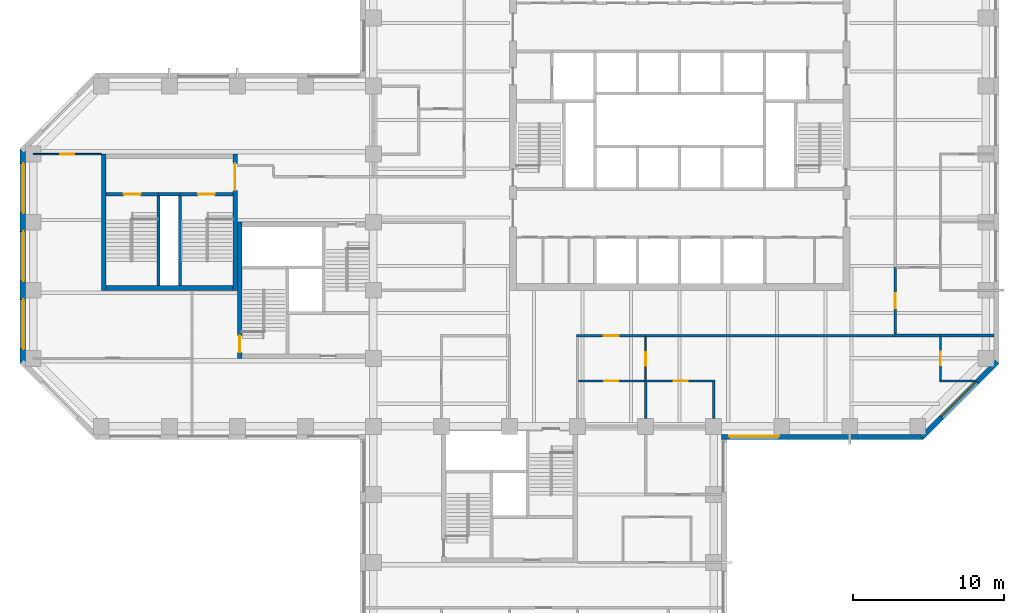
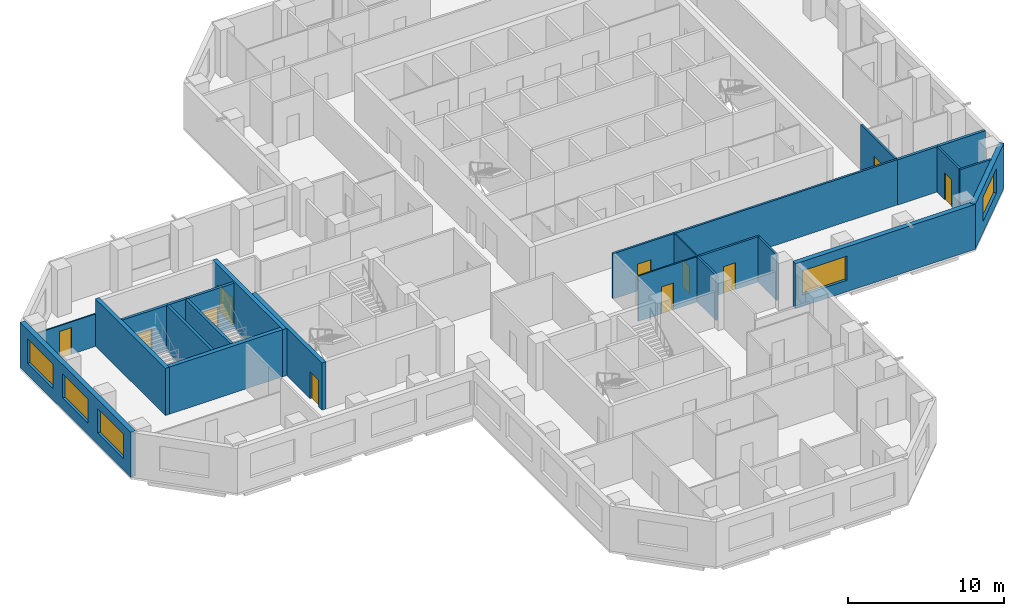
# One storey, part 5 of 11: 25 walls, 11 doors, 5 windows, 16 openings.
"""IFC4 building model written with IfcOpenShell, lengths in metres."""

from ifc_helpers import new_model, si_unit, direction, frame, frame_2d, origin, place, context, subcontext, project, spatial, rectangle, extrude, material, layer, layer_set, constituent, constituent_set, type_object, element, fill, save


model = new_model("IFC4")

# Units and contexts
model_context = context("Model", 3, precision=1e-05, world=origin(), true_north=direction((0.0, 1.0)))
body_context = subcontext(model_context, "Body", "Model", "MODEL_VIEW")
ifc_project = project(units=[si_unit("LENGTHUNIT", "METRE"), si_unit("AREAUNIT", "SQUARE_METRE"), si_unit("VOLUMEUNIT", "CUBIC_METRE"), si_unit("PLANEANGLEUNIT", "RADIAN"), si_unit("MASSUNIT", "GRAM", prefix="KILO")], contexts=[model_context])

# Site, building, storey
site_placement = place(None, origin())
site = spatial("IfcSite", under=ifc_project, at=site_placement, CompositionType="ELEMENT")
building_placement = place(site_placement, origin())
building = spatial("IfcBuilding", under=site, at=building_placement, Name="Quoin Convention Tower", CompositionType="ELEMENT")
storey_placement = place(building_placement, frame((0.0, 0.0, 78.89990234375)))
storey = spatial("IfcBuildingStorey", under=building, at=storey_placement, Name="L20", CompositionType="ELEMENT", Elevation=78.89990234375)

# Wall, opening, door
ifc_material_1 = material(Name="Plasterboard")
ifc_layer_1 = layer(ifc_material_1, 0.012451171875, Name="Finish")
ifc_material_2 = material(Name="Steel stud framing", Category="steel")
ifc_layer_2 = layer(ifc_material_2, 0.125, Name="Structure")
ifc_layer_3 = layer(ifc_material_1, 0.012451171875, Name="Finish")
ifc_layer_set_1 = layer_set([ifc_layer_1, ifc_layer_2, ifc_layer_3], Name="Steel stud framing")
wall_type_1 = type_object("IfcWallType", Name="Acoustic partition 150", PredefinedType="PARTITIONING", material=ifc_layer_set_1)
wall_1_placement = place(storey_placement, frame((54.074951171875, 43.5, 0.0), z_axis=(0.0, 0.0, 1.0), x_axis=(1.0, 0.0, 0.0)))
wall_1 = element("IfcWall", 1, at=wall_1_placement, inside=storey, type_object=wall_type_1, Name="pw-L20-019", PredefinedType="PARTITIONING", context=body_context, shape_type="SweptSolid", body=[
    extrude(rectangle(XDim=4.5, YDim=0.14990234375, at=frame_2d((2.25, 0.0))), origin(), (0.0, 0.0, 1.0), 3.550048828125),
])
opening_1_placement = place(wall_1_placement, frame((1.800048828125, 0.0, 0.0)))
opening_1 = element("IfcOpeningElement", 2, at=opening_1_placement, cuts=wall_1, Name="Opening DOL1-10", PredefinedType="OPENING", context=body_context, shape_type="SweptSolid", body=[
    extrude(rectangle(XDim=0.89990234375, YDim=2.10009765625, at=frame_2d((0.449951171875, 1.050048828125))), frame((0.0, 0.0849609375, 0.0), z_axis=(0.0, -1.0, 0.0), x_axis=(1.0, 0.0, 0.0)), (0.0, 0.0, 1.0), 0.169921875),
])
ifc_material_3 = material(Name="Steel door leaf", Category="steel")
door_type_1 = type_object("IfcDoorType", Name="Office door 900 x 2100", OperationType="SINGLE_SWING_RIGHT", PredefinedType="DOOR", material=ifc_material_3)
door_1_placement = place(opening_1_placement, origin())
door_1 = element("IfcDoor", 3, at=door_1_placement, inside=storey, type_object=door_type_1, Name="dr-L20-27", OperationType="SINGLE_SWING_RIGHT", OverallHeight=2.10009765625, OverallWidth=0.89990234375, PredefinedType="DOOR", context=body_context, shape_type="SweptSolid", body=[
    extrude(rectangle(XDim=0.89990234375, YDim=2.10009765625, at=frame_2d((0.449951171875, 1.050048828125))), frame((0.0, 0.02490234375, 0.0), z_axis=(0.0, -1.0, 0.0), x_axis=(1.0, 0.0, 0.0)), (0.0, 0.0, 1.0), 0.050048828125),
])
fill(opening_1, door_1)

# Walls
wall_2_placement = place(storey_placement, frame((54.0, 41.02490234375, 0.0), z_axis=(0.0, 0.0, 1.0), x_axis=(0.0, 1.0, 0.0)))
element("IfcWall", 4, at=wall_2_placement, inside=storey, type_object=wall_type_1, Name="pw-L20-078", PredefinedType="PARTITIONING", context=body_context, shape_type="SweptSolid", body=[
    extrude(rectangle(XDim=2.47509765625, YDim=0.14990234375, at=frame_2d((1.237548828125, 0.0))), origin(), (0.0, 0.0, 1.0), 3.550048828125),
])
wall_3_placement = place(storey_placement, frame((58.5, 41.02490234375, 0.0), z_axis=(0.0, 0.0, 1.0), x_axis=(0.0, 1.0, 0.0)))
element("IfcWall", 5, at=wall_3_placement, inside=storey, type_object=wall_type_1, Name="pw-L20-079", PredefinedType="PARTITIONING", context=body_context, shape_type="SweptSolid", body=[
    extrude(rectangle(XDim=2.400146484375, YDim=0.14990234375, at=frame_2d((1.2001953125, 0.0))), origin(), (0.0, 0.0, 1.0), 3.550048828125),
])

# Wall, opening, window
ifc_material_4 = material(Name="Brick masonry", Category="masonry")
ifc_layer_4 = layer(ifc_material_4, 0.35009765625)
ifc_layer_set_2 = layer_set([ifc_layer_4], Name="Brick masonry")
wall_type_2 = type_object("IfcWallType", Name="Brick facade wall", PredefinedType="STANDARD", material=ifc_layer_set_2)
wall_4_placement = place(storey_placement, frame((59.02490234375, 39.800048828125, 0.0), z_axis=(0.0, 0.0, 1.0), x_axis=(1.0, 0.0, 0.0)))
wall_4 = element("IfcWall", 6, at=wall_4_placement, inside=storey, type_object=wall_type_2, Name="fw-L20-58500_40500", PredefinedType="STANDARD", context=body_context, shape_type="SweptSolid", body=[
    extrude(rectangle(XDim=13.33740234375, YDim=0.35009765625, at=frame_2d((6.668701171875, 0.0))), origin(), (0.0, 0.0, 1.0), 3.525146484375),
])
opening_2_placement = place(wall_4_placement, frame((0.5, 0.0, 0.89990234375)))
opening_2 = element("IfcOpeningElement", 7, at=opening_2_placement, cuts=wall_4, Name="Opening W-02", PredefinedType="OPENING", context=body_context, shape_type="SweptSolid", body=[
    extrude(rectangle(XDim=3.300048828125, YDim=1.89990234375, at=frame_2d((1.64990234375, 0.949951171875))), frame((0.0, 0.18505859375, 0.0), z_axis=(0.0, -1.0, 0.0), x_axis=(1.0, 0.0, 0.0)), (0.0, 0.0, 1.0), 0.3701171875),
])
ifc_material_5 = material(Name="Aluminium", Category="aluminium")
ifc_constituent_1 = constituent(ifc_material_5, Name="Frame")
ifc_material_6 = material(Name="Insulated glass", Category="glass")
ifc_constituent_2 = constituent(ifc_material_6, Name="Glazing")
ifc_constituent_set = constituent_set(constituents=[ifc_constituent_1, ifc_constituent_2], Name="Aluminium")
window_type = type_object("IfcWindowType", Name="Office window", PartitioningType="DOUBLE_PANEL_VERTICAL", PredefinedType="WINDOW", material=ifc_constituent_set)
window_1_placement = place(opening_2_placement, origin())
window_1 = element("IfcWindow", 8, at=window_1_placement, inside=storey, type_object=window_type, Name="win-L20-60750_39800", OverallHeight=1.89990234375, OverallWidth=3.300048828125, PartitioningType="SINGLE_PANEL", PredefinedType="WINDOW", context=body_context, shape_type="SweptSolid", body=[
    extrude(rectangle(XDim=3.300048828125, YDim=1.89990234375, at=frame_2d((1.64990234375, 0.949951171875))), frame((0.0, 0.0849609375, 0.0), z_axis=(0.0, -1.0, 0.0), x_axis=(1.0, 0.0, 0.0)), (0.0, 0.0, 1.0), 0.06005859375),
])
fill(opening_2, window_1)

wall_5_placement = place(storey_placement, frame((72.23876953125, 39.748779296875, 0.0), z_axis=(0.0, 0.0, 1.0), x_axis=(0.707106781187, 0.707106781187, 0.0)))
wall_5 = element("IfcWall", 9, at=wall_5_placement, inside=storey, type_object=wall_type_2, Name="fw-L20-72000_40500", PredefinedType="STANDARD", context=body_context, shape_type="SweptSolid", body=[
    extrude(rectangle(XDim=7.088623046875, YDim=0.35009765625, at=frame_2d((3.54443359375, 0.0))), origin(), (0.0, 0.0, 1.0), 3.525146484375),
])
opening_3_placement = place(wall_5_placement, frame((1.894287109375, 0.0, 0.89990234375)))
opening_3 = element("IfcOpeningElement", 10, at=opening_3_placement, cuts=wall_5, Name="Opening W-02", PredefinedType="OPENING", context=body_context, shape_type="SweptSolid", body=[
    extrude(rectangle(XDim=3.300048828125, YDim=1.89990234375, at=frame_2d((1.64990234375, 0.949951171875))), frame((0.0, 0.18505859375, 0.0), z_axis=(0.0, -1.0, 0.0), x_axis=(1.0, 0.0, 0.0)), (0.0, 0.0, 1.0), 0.3701171875),
])
window_2_placement = place(opening_3_placement, origin())
window_2 = element("IfcWindow", 11, at=window_2_placement, inside=storey, type_object=window_type, Name="win-L20-74745_42255", OverallHeight=1.89990234375, OverallWidth=3.300048828125, PartitioningType="SINGLE_PANEL", PredefinedType="WINDOW", context=body_context, shape_type="SweptSolid", body=[
    extrude(rectangle(XDim=3.300048828125, YDim=1.89990234375, at=frame_2d((1.64990234375, 0.949951171875))), frame((0.0, 0.0849609375, 0.0), z_axis=(0.0, -1.0, 0.0), x_axis=(1.0, 0.0, 0.0)), (0.0, 0.0, 1.0), 0.06005859375),
])
fill(opening_3, window_2)

# Wall, openings, windows
wall_6_placement = place(storey_placement, frame((12.800048828125, 58.8623046875, 0.0), z_axis=(0.0, 0.0, 1.0), x_axis=(0.0, -1.0, 0.0)))
wall_6 = element("IfcWall", 12, at=wall_6_placement, inside=storey, type_object=wall_type_2, Name="fw-L20-13500_58500", PredefinedType="STANDARD", context=body_context, shape_type="SweptSolid", body=[
    extrude(rectangle(XDim=14.224609375, YDim=0.35009765625, at=frame_2d((7.1123046875, 0.0))), origin(), (0.0, 0.0, 1.0), 3.525146484375),
])
opening_4_placement = place(wall_6_placement, frame((0.96240234375, 0.0, 0.89990234375)))
opening_4 = element("IfcOpeningElement", 13, at=opening_4_placement, cuts=wall_6, Name="Opening W-02", PredefinedType="OPENING", context=body_context, shape_type="SweptSolid", body=[
    extrude(rectangle(XDim=3.300048828125, YDim=1.89990234375, at=frame_2d((1.64990234375, 0.949951171875))), frame((0.0, 0.18505859375, 0.0), z_axis=(0.0, -1.0, 0.0), x_axis=(1.0, 0.0, 0.0)), (0.0, 0.0, 1.0), 0.3701171875),
])
opening_5_placement = place(wall_6_placement, frame((5.46240234375, 0.0, 0.89990234375)))
opening_5 = element("IfcOpeningElement", 14, at=opening_5_placement, cuts=wall_6, Name="Opening W-02", PredefinedType="OPENING", context=body_context, shape_type="SweptSolid", body=[
    extrude(rectangle(XDim=3.300048828125, YDim=1.89990234375, at=frame_2d((1.64990234375, 0.949951171875))), frame((0.0, 0.18505859375, 0.0), z_axis=(0.0, -1.0, 0.0), x_axis=(1.0, 0.0, 0.0)), (0.0, 0.0, 1.0), 0.3701171875),
])
opening_6_placement = place(wall_6_placement, frame((9.96240234375, 0.0, 0.89990234375)))
opening_6 = element("IfcOpeningElement", 15, at=opening_6_placement, cuts=wall_6, Name="Opening W-02", PredefinedType="OPENING", context=body_context, shape_type="SweptSolid", body=[
    extrude(rectangle(XDim=3.300048828125, YDim=1.89990234375, at=frame_2d((1.64990234375, 0.949951171875))), frame((0.0, 0.18505859375, 0.0), z_axis=(0.0, -1.0, 0.0), x_axis=(1.0, 0.0, 0.0)), (0.0, 0.0, 1.0), 0.3701171875),
])
window_3_placement = place(opening_4_placement, origin())
window_3 = element("IfcWindow", 16, at=window_3_placement, inside=storey, type_object=window_type, Name="win-L20-12800_56250", OverallHeight=1.89990234375, OverallWidth=3.300048828125, PartitioningType="SINGLE_PANEL", PredefinedType="WINDOW", context=body_context, shape_type="SweptSolid", body=[
    extrude(rectangle(XDim=3.300048828125, YDim=1.89990234375, at=frame_2d((1.64990234375, 0.949951171875))), frame((0.0, 0.0849609375, 0.0), z_axis=(0.0, -1.0, 0.0), x_axis=(1.0, 0.0, 0.0)), (0.0, 0.0, 1.0), 0.06005859375),
])
fill(opening_4, window_3)
window_4_placement = place(opening_5_placement, origin())
window_4 = element("IfcWindow", 17, at=window_4_placement, inside=storey, type_object=window_type, Name="win-L20-12800_51750", OverallHeight=1.89990234375, OverallWidth=3.300048828125, PartitioningType="SINGLE_PANEL", PredefinedType="WINDOW", context=body_context, shape_type="SweptSolid", body=[
    extrude(rectangle(XDim=3.300048828125, YDim=1.89990234375, at=frame_2d((1.64990234375, 0.949951171875))), frame((0.0, 0.0849609375, 0.0), z_axis=(0.0, -1.0, 0.0), x_axis=(1.0, 0.0, 0.0)), (0.0, 0.0, 1.0), 0.06005859375),
])
fill(opening_5, window_4)
window_5_placement = place(opening_6_placement, origin())
window_5 = element("IfcWindow", 18, at=window_5_placement, inside=storey, type_object=window_type, Name="win-L20-12800_47250", OverallHeight=1.89990234375, OverallWidth=3.300048828125, PartitioningType="SINGLE_PANEL", PredefinedType="WINDOW", context=body_context, shape_type="SweptSolid", body=[
    extrude(rectangle(XDim=3.300048828125, YDim=1.89990234375, at=frame_2d((1.64990234375, 0.949951171875))), frame((0.0, 0.0849609375, 0.0), z_axis=(0.0, -1.0, 0.0), x_axis=(1.0, 0.0, 0.0)), (0.0, 0.0, 1.0), 0.06005859375),
])
fill(opening_6, window_5)

# Wall
ifc_material_7 = material(Name="Concrete C50", Category="concrete")
ifc_layer_5 = layer(ifc_material_7, 0.199951171875)
ifc_layer_set_3 = layer_set([ifc_layer_5], Name="Concrete C50")
wall_type_3 = type_object("IfcWallType", Name="Core shaft wall", PredefinedType="SOLIDWALL", material=ifc_layer_set_3)
wall_7_placement = place(storey_placement, frame((21.800048828125, 55.85009765625, 0.0), z_axis=(0.0, 0.0, 1.0), x_axis=(1.0, 0.0, 0.0)))
element("IfcWall", 19, at=wall_7_placement, inside=storey, type_object=wall_type_3, Name="cr-P6-L20-h6350_3800", PredefinedType="SOLIDWALL", context=body_context, shape_type="SweptSolid", body=[
    extrude(rectangle(XDim=1.39990234375, YDim=0.199951171875, at=frame_2d((0.699951171875, 0.0))), origin(), (0.0, 0.0, 1.0), 3.550048828125),
])

# Wall, opening, door
wall_8_placement = place(storey_placement, frame((18.300048828125, 55.85009765625, 0.0), z_axis=(0.0, 0.0, 1.0), x_axis=(1.0, 0.0, 0.0)))
wall_8 = element("IfcWall", 20, at=wall_8_placement, inside=storey, type_object=wall_type_3, Name="cr-P6-L20-h6350_300", PredefinedType="SOLIDWALL", context=body_context, shape_type="SweptSolid", body=[
    extrude(rectangle(XDim=3.5, YDim=0.199951171875, at=frame_2d((1.75, 0.0))), origin(), (0.0, 0.0, 1.0), 3.550048828125),
])
opening_7_placement = place(wall_8_placement, frame((1.199951171875, 0.0, 0.0)))
opening_7 = element("IfcOpeningElement", 21, at=opening_7_placement, cuts=wall_8, Name="Opening SD11", PredefinedType="OPENING", context=body_context, shape_type="SweptSolid", body=[
    extrude(rectangle(XDim=1.10009765625, YDim=2.10009765625, at=frame_2d((0.550048828125, 1.050048828125))), frame((0.0, 0.10986328125, 0.0), z_axis=(0.0, -1.0, 0.0), x_axis=(1.0, 0.0, 0.0)), (0.0, 0.0, 1.0), 0.219970703125),
])
door_type_2 = type_object("IfcDoorType", Name="Stair door 1100 x 2100", OperationType="SINGLE_SWING_RIGHT", PredefinedType="DOOR", material=ifc_material_3)
door_2_placement = place(opening_7_placement, origin())
door_2 = element("IfcDoor", 22, at=door_2_placement, inside=storey, type_object=door_type_2, Name="cd-P6-L20-SA-R2-SD11", OperationType="SINGLE_SWING_RIGHT", OverallHeight=2.10009765625, OverallWidth=1.10009765625, PredefinedType="DOOR", context=body_context, shape_type="SweptSolid", body=[
    extrude(rectangle(XDim=1.10009765625, YDim=2.10009765625, at=frame_2d((0.550048828125, 1.050048828125))), frame((0.0, 0.02490234375, 0.0), z_axis=(0.0, -1.0, 0.0), x_axis=(1.0, 0.0, 0.0)), (0.0, 0.0, 1.0), 0.050048828125),
])
fill(opening_7, door_2)

wall_9_placement = place(storey_placement, frame((23.199951171875, 55.85009765625, 0.0), z_axis=(0.0, 0.0, 1.0), x_axis=(1.0, 0.0, 0.0)))
wall_9 = element("IfcWall", 23, at=wall_9_placement, inside=storey, type_object=wall_type_3, Name="cr-P6-L20-h6350_5200", PredefinedType="SOLIDWALL", context=body_context, shape_type="SweptSolid", body=[
    extrude(rectangle(XDim=3.5, YDim=0.199951171875, at=frame_2d((1.75, 0.0))), origin(), (0.0, 0.0, 1.0), 3.550048828125),
])
opening_8_placement = place(wall_9_placement, frame((1.199951171875, 0.0, 0.0)))
opening_8 = element("IfcOpeningElement", 24, at=opening_8_placement, cuts=wall_9, Name="Opening SD12", PredefinedType="OPENING", context=body_context, shape_type="SweptSolid", body=[
    extrude(rectangle(XDim=1.10009765625, YDim=2.10009765625, at=frame_2d((0.550048828125, 1.050048828125))), frame((0.0, 0.10986328125, 0.0), z_axis=(0.0, -1.0, 0.0), x_axis=(1.0, 0.0, 0.0)), (0.0, 0.0, 1.0), 0.219970703125),
])
door_3_placement = place(opening_8_placement, origin())
door_3 = element("IfcDoor", 25, at=door_3_placement, inside=storey, type_object=door_type_2, Name="cd-P6-L20-SB-R2-SD12", OperationType="SINGLE_SWING_RIGHT", OverallHeight=2.10009765625, OverallWidth=1.10009765625, PredefinedType="DOOR", context=body_context, shape_type="SweptSolid", body=[
    extrude(rectangle(XDim=1.10009765625, YDim=2.10009765625, at=frame_2d((0.550048828125, 1.050048828125))), frame((0.0, 0.02490234375, 0.0), z_axis=(0.0, -1.0, 0.0), x_axis=(1.0, 0.0, 0.0)), (0.0, 0.0, 1.0), 0.050048828125),
])
fill(opening_8, door_3)

# Walls
for number, where, z_axis, x_axis, name in (
    (26, (21.800048828125, 49.800048828125, 0.0), (0.0, 0.0, 1.0), (0.0, 1.0, 0.0), "cr-P6-L20-v3800_300"),
    (27, (23.199951171875, 49.800048828125, 0.0), (0.0, 0.0, 1.0), (0.0, 1.0, 0.0), "cr-P6-L20-v5200_300"),
):
    element("IfcWall", number, at=place(storey_placement, frame(where, z_axis=z_axis, x_axis=x_axis)), inside=storey, type_object=wall_type_3, Name=name, PredefinedType="SOLIDWALL", context=body_context, shape_type="SweptSolid", body=[
        extrude(rectangle(XDim=6.050048828125, YDim=0.199951171875, at=frame_2d((3.02490234375, 0.0))), origin(), (0.0, 0.0, 1.0), 3.550048828125),
    ])

# Wall, opening, door
ifc_layer_6 = layer(ifc_material_1, 0.012451171875, Name="Finish")
ifc_layer_7 = layer(ifc_material_2, 0.125, Name="Structure")
ifc_layer_8 = layer(ifc_material_1, 0.012451171875, Name="Finish")
ifc_layer_set_4 = layer_set([ifc_layer_6, ifc_layer_7, ifc_layer_8], Name="Steel stud framing")
wall_type_4 = type_object("IfcWallType", Name="Corridor wall 150", PredefinedType="PARTITIONING", material=ifc_layer_set_4)
wall_10_placement = place(storey_placement, frame((49.425048828125, 46.5, 0.0), z_axis=(0.0, 0.0, 1.0), x_axis=(1.0, 0.0, 0.0)))
wall_10 = element("IfcWall", 28, at=wall_10_placement, inside=storey, type_object=wall_type_4, Name="pw-L20-025", PredefinedType="PARTITIONING", context=body_context, shape_type="SweptSolid", body=[
    extrude(rectangle(XDim=4.574951171875, YDim=0.14990234375, at=frame_2d((2.28759765625, 0.0))), origin(), (0.0, 0.0, 1.0), 3.550048828125),
])
opening_9_placement = place(wall_10_placement, frame((1.800048828125, 0.0, 0.0)))
opening_9 = element("IfcOpeningElement", 29, at=opening_9_placement, cuts=wall_10, Name="Opening DOL1-11", PredefinedType="OPENING", context=body_context, shape_type="SweptSolid", body=[
    extrude(rectangle(XDim=1.0, YDim=2.10009765625, at=frame_2d((0.5, 1.050048828125))), frame((0.0, 0.0849609375, 0.0), z_axis=(0.0, -1.0, 0.0), x_axis=(1.0, 0.0, 0.0)), (0.0, 0.0, 1.0), 0.169921875),
])
door_type_3 = type_object("IfcDoorType", Name="Tenancy entrance door 1000 x 2100", OperationType="DOUBLE_DOOR_SINGLE_SWING", PredefinedType="DOOR", material=ifc_material_3)
door_4_placement = place(opening_9_placement, frame((1.0, 0.0, 0.0), z_axis=(0.0, 0.0, 1.0), x_axis=(-1.0, 0.0, 0.0)))
door_4 = element("IfcDoor", 30, at=door_4_placement, inside=storey, type_object=door_type_3, Name="dr-L20-23", OperationType="DOUBLE_DOOR_SINGLE_SWING", OverallHeight=2.10009765625, OverallWidth=1.0, PredefinedType="DOOR", context=body_context, shape_type="SweptSolid", body=[
    extrude(rectangle(XDim=1.0, YDim=2.10009765625, at=frame_2d((0.5, 1.050048828125))), frame((0.0, 0.02490234375, 0.0), z_axis=(0.0, -1.0, 0.0), x_axis=(1.0, 0.0, 0.0)), (0.0, 0.0, 1.0), 0.050048828125),
])
fill(opening_9, door_4)

# Wall
wall_11_placement = place(storey_placement, frame((54.0, 46.5, 0.0), z_axis=(0.0, 0.0, 1.0), x_axis=(1.0, 0.0, 0.0)))
element("IfcWall", 31, at=wall_11_placement, inside=storey, type_object=wall_type_4, Name="pw-L20-026", PredefinedType="PARTITIONING", context=body_context, shape_type="SweptSolid", body=[
    extrude(rectangle(XDim=16.5, YDim=0.14990234375, at=frame_2d((8.25, 0.0))), origin(), (0.0, 0.0, 1.0), 3.550048828125),
])

# Wall, opening, door
wall_12_placement = place(storey_placement, frame((70.5, 46.60009765625, 0.0), z_axis=(0.0, 0.0, 1.0), x_axis=(0.0, 1.0, 0.0)))
wall_12 = element("IfcWall", 32, at=wall_12_placement, inside=storey, type_object=wall_type_4, Name="pw-L20-087", PredefinedType="PARTITIONING", context=body_context, shape_type="SweptSolid", body=[
    extrude(rectangle(XDim=4.39990234375, YDim=0.14990234375, at=frame_2d((2.199951171875, 0.0))), origin(), (0.0, 0.0, 1.0), 3.550048828125),
])
opening_10_placement = place(wall_12_placement, frame((1.699951171875, 0.0, 0.0)))
opening_10 = element("IfcOpeningElement", 33, at=opening_10_placement, cuts=wall_12, Name="Opening DOL1-27", PredefinedType="OPENING", context=body_context, shape_type="SweptSolid", body=[
    extrude(rectangle(XDim=1.0, YDim=2.10009765625, at=frame_2d((0.5, 1.050048828125))), frame((0.0, 0.0849609375, 0.0), z_axis=(0.0, -1.0, 0.0), x_axis=(1.0, 0.0, 0.0)), (0.0, 0.0, 1.0), 0.169921875),
])
door_5_placement = place(opening_10_placement, frame((1.0, 0.0, 0.0), z_axis=(0.0, 0.0, 1.0), x_axis=(-1.0, 0.0, 0.0)))
door_5 = element("IfcDoor", 34, at=door_5_placement, inside=storey, type_object=door_type_3, Name="dr-L20-28", OperationType="DOUBLE_DOOR_SINGLE_SWING", OverallHeight=2.10009765625, OverallWidth=1.0, PredefinedType="DOOR", context=body_context, shape_type="SweptSolid", body=[
    extrude(rectangle(XDim=1.0, YDim=2.10009765625, at=frame_2d((0.5, 1.050048828125))), frame((0.0, 0.02490234375, 0.0), z_axis=(0.0, -1.0, 0.0), x_axis=(1.0, 0.0, 0.0)), (0.0, 0.0, 1.0), 0.050048828125),
])
fill(opening_10, door_5)

ifc_material_8 = material(Name="Concrete C65", Category="concrete")
ifc_layer_9 = layer(ifc_material_8, 0.300048828125)
ifc_layer_set_5 = layer_set([ifc_layer_9], Name="Concrete C65")
wall_type_5 = type_object("IfcWallType", Name="RC CORE WALL 300 C65", PredefinedType="SHEAR", material=ifc_layer_set_5)
wall_13_placement = place(storey_placement, frame((27.14990234375, 45.0, 0.0), z_axis=(0.0, 0.0, 1.0), x_axis=(0.0, 1.0, 0.0)))
wall_13 = element("IfcWall", 35, at=wall_13_placement, inside=storey, type_object=wall_type_5, Name="cwl-P2-L20-W", PredefinedType="SHEAR", context=body_context, shape_type="SweptSolid", body=[
    extrude(rectangle(XDim=9.0, YDim=0.300048828125, at=frame_2d((4.5, 0.0))), origin(), (0.0, 0.0, 1.0), 3.7001953125),
])
opening_11_placement = place(wall_13_placement, frame((0.39990234375, 0.0, 0.0)))
opening_11 = element("IfcOpeningElement", 36, at=opening_11_placement, cuts=wall_13, Name="Opening SD3", PredefinedType="OPENING", context=body_context, shape_type="SweptSolid", body=[
    extrude(rectangle(XDim=1.10009765625, YDim=2.10009765625, at=frame_2d((0.550048828125, 1.050048828125))), frame((0.0, 0.159912109375, 0.0), z_axis=(0.0, -1.0, 0.0), x_axis=(1.0, 0.0, 0.0)), (0.0, 0.0, 1.0), 0.320068359375),
])
door_6_placement = place(opening_11_placement, frame((1.10009765625, 0.0, 0.0), z_axis=(0.0, 0.0, 1.0), x_axis=(-1.0, 0.0, 0.0)))
door_6 = element("IfcDoor", 37, at=door_6_placement, inside=storey, type_object=door_type_2, Name="cd-P2-L20-SA-W", OperationType="SINGLE_SWING_RIGHT", OverallHeight=2.10009765625, OverallWidth=1.10009765625, PredefinedType="DOOR", context=body_context, shape_type="SweptSolid", body=[
    extrude(rectangle(XDim=1.10009765625, YDim=2.10009765625, at=frame_2d((0.550048828125, 1.050048828125))), frame((0.0, 0.02490234375, 0.0), z_axis=(0.0, -1.0, 0.0), x_axis=(1.0, 0.0, 0.0)), (0.0, 0.0, 1.0), 0.050048828125),
])
fill(opening_11, door_6)

# Walls
wall_14_placement = place(storey_placement, frame((18.300048828125, 49.64990234375, 0.0), z_axis=(0.0, 0.0, 1.0), x_axis=(1.0, 0.0, 0.0)))
element("IfcWall", 38, at=wall_14_placement, inside=storey, type_object=wall_type_5, Name="cwl-P6-L20-S", PredefinedType="SHEAR", context=body_context, shape_type="SweptSolid", body=[
    extrude(rectangle(XDim=8.39990234375, YDim=0.300048828125, at=frame_2d((4.199951171875, 0.0))), origin(), (0.0, 0.0, 1.0), 3.7001953125),
])
wall_15_placement = place(storey_placement, frame((18.14990234375, 49.5, 0.0), z_axis=(0.0, 0.0, 1.0), x_axis=(0.0, 1.0, 0.0)))
element("IfcWall", 39, at=wall_15_placement, inside=storey, type_object=wall_type_5, Name="cwl-P6-L20-W", PredefinedType="SHEAR", context=body_context, shape_type="SweptSolid", body=[
    extrude(rectangle(XDim=9.0, YDim=0.300048828125, at=frame_2d((4.5, 0.0))), origin(), (0.0, 0.0, 1.0), 3.7001953125),
])

# Wall, opening, door
wall_16_placement = place(storey_placement, frame((26.85009765625, 49.5, 0.0), z_axis=(0.0, 0.0, 1.0), x_axis=(0.0, 1.0, 0.0)))
wall_16 = element("IfcWall", 40, at=wall_16_placement, inside=storey, type_object=wall_type_5, Name="cwl-P6-L20-E", PredefinedType="SHEAR", context=body_context, shape_type="SweptSolid", body=[
    extrude(rectangle(XDim=9.0, YDim=0.300048828125, at=frame_2d((4.5, 0.0))), origin(), (0.0, 0.0, 1.0), 3.7001953125),
])
opening_12_placement = place(wall_16_placement, frame((6.60009765625, 0.0, 0.0)))
opening_12 = element("IfcOpeningElement", 41, at=opening_12_placement, cuts=wall_16, Name="Opening DCV1-54", PredefinedType="OPENING", context=body_context, shape_type="SweptSolid", body=[
    extrude(rectangle(XDim=1.800048828125, YDim=2.10009765625, at=frame_2d((0.89990234375, 1.050048828125))), frame((0.0, 0.159912109375, 0.0), z_axis=(0.0, -1.0, 0.0), x_axis=(1.0, 0.0, 0.0)), (0.0, 0.0, 1.0), 0.320068359375),
])
door_type_4 = type_object("IfcDoorType", Name="Goods lobby door 1800 x 2100", OperationType="SINGLE_SWING_LEFT", PredefinedType="DOOR", material=ifc_material_3)
door_7_placement = place(opening_12_placement, origin())
door_7 = element("IfcDoor", 42, at=door_7_placement, inside=storey, type_object=door_type_4, Name="cd-P6-L20-R2-E", OperationType="SINGLE_SWING_LEFT", OverallHeight=2.10009765625, OverallWidth=1.800048828125, PredefinedType="DOOR", context=body_context, shape_type="SweptSolid", body=[
    extrude(rectangle(XDim=1.800048828125, YDim=2.10009765625, at=frame_2d((0.89990234375, 1.050048828125))), frame((0.0, 0.02490234375, 0.0), z_axis=(0.0, -1.0, 0.0), x_axis=(1.0, 0.0, 0.0)), (0.0, 0.0, 1.0), 0.050048828125),
])
fill(opening_12, door_7)

ifc_layer_10 = layer(ifc_material_1, 0.012451171875, Name="Finish")
ifc_layer_11 = layer(ifc_material_2, 0.074951171875, Name="Structure")
ifc_layer_12 = layer(ifc_material_1, 0.012451171875, Name="Finish")
ifc_layer_set_6 = layer_set([ifc_layer_10, ifc_layer_11, ifc_layer_12], Name="Steel stud framing")
wall_type_6 = type_object("IfcWallType", Name="Stud partition 100", PredefinedType="PARTITIONING", material=ifc_layer_set_6)
wall_17_placement = place(storey_placement, frame((49.574951171875, 43.5, 0.0), z_axis=(0.0, 0.0, 1.0), x_axis=(1.0, 0.0, 0.0)))
wall_17 = element("IfcWall", 43, at=wall_17_placement, inside=storey, type_object=wall_type_6, Name="pw-L20-018", PredefinedType="PARTITIONING", context=body_context, shape_type="SweptSolid", body=[
    extrude(rectangle(XDim=4.35009765625, YDim=0.10009765625, at=frame_2d((2.175048828125, 0.0))), origin(), (0.0, 0.0, 1.0), 3.550048828125),
])
opening_13_placement = place(wall_17_placement, frame((1.699951171875, 0.0, 0.0)))
opening_13 = element("IfcOpeningElement", 44, at=opening_13_placement, cuts=wall_17, Name="Opening DOL1-09", PredefinedType="OPENING", context=body_context, shape_type="SweptSolid", body=[
    extrude(rectangle(XDim=0.89990234375, YDim=2.10009765625, at=frame_2d((0.449951171875, 1.050048828125))), frame((0.0, 0.06005859375, 0.0), z_axis=(0.0, -1.0, 0.0), x_axis=(1.0, 0.0, 0.0)), (0.0, 0.0, 1.0), 0.1201171875),
])
door_8_placement = place(opening_13_placement, origin())
door_8 = element("IfcDoor", 45, at=door_8_placement, inside=storey, type_object=door_type_1, Name="dr-L20-25", OperationType="SINGLE_SWING_RIGHT", OverallHeight=2.10009765625, OverallWidth=0.89990234375, PredefinedType="DOOR", context=body_context, shape_type="SweptSolid", body=[
    extrude(rectangle(XDim=0.89990234375, YDim=2.10009765625, at=frame_2d((0.449951171875, 1.050048828125))), frame((0.0, 0.02490234375, 0.0), z_axis=(0.0, -1.0, 0.0), x_axis=(1.0, 0.0, 0.0)), (0.0, 0.0, 1.0), 0.050048828125),
])
fill(opening_13, door_8)

wall_18_placement = place(storey_placement, frame((54.0, 43.5, 0.0), z_axis=(0.0, 0.0, 1.0), x_axis=(0.0, 1.0, 0.0)))
wall_18 = element("IfcWall", 46, at=wall_18_placement, inside=storey, type_object=wall_type_6, Name="pw-L20-081", PredefinedType="PARTITIONING", context=body_context, shape_type="SweptSolid", body=[
    extrude(rectangle(XDim=2.925048828125, YDim=0.10009765625, at=frame_2d((1.46240234375, 0.0))), origin(), (0.0, 0.0, 1.0), 3.550048828125),
])
opening_14_placement = place(wall_18_placement, frame((1.0, 0.0, 0.0)))
opening_14 = element("IfcOpeningElement", 47, at=opening_14_placement, cuts=wall_18, Name="Opening DOL1-25", PredefinedType="OPENING", context=body_context, shape_type="SweptSolid", body=[
    extrude(rectangle(XDim=0.89990234375, YDim=2.10009765625, at=frame_2d((0.449951171875, 1.050048828125))), frame((0.0, 0.06005859375, 0.0), z_axis=(0.0, -1.0, 0.0), x_axis=(1.0, 0.0, 0.0)), (0.0, 0.0, 1.0), 0.1201171875),
])
door_9_placement = place(opening_14_placement, frame((0.89990234375, 0.0, 0.0), z_axis=(0.0, 0.0, 1.0), x_axis=(-1.0, 0.0, 0.0)))
door_9 = element("IfcDoor", 48, at=door_9_placement, inside=storey, type_object=door_type_1, Name="dr-L20-24", OperationType="SINGLE_SWING_RIGHT", OverallHeight=2.10009765625, OverallWidth=0.89990234375, PredefinedType="DOOR", context=body_context, shape_type="SweptSolid", body=[
    extrude(rectangle(XDim=0.89990234375, YDim=2.10009765625, at=frame_2d((0.449951171875, 1.050048828125))), frame((0.0, 0.02490234375, 0.0), z_axis=(0.0, -1.0, 0.0), x_axis=(1.0, 0.0, 0.0)), (0.0, 0.0, 1.0), 0.050048828125),
])
fill(opening_14, door_9)

ifc_layer_13 = layer(ifc_material_1, 0.012451171875, Name="Finish")
ifc_layer_14 = layer(ifc_material_2, 0.074951171875, Name="Structure")
ifc_layer_15 = layer(ifc_material_1, 0.012451171875, Name="Finish")
ifc_layer_set_7 = layer_set([ifc_layer_13, ifc_layer_14, ifc_layer_15], Name="Steel stud framing")
wall_type_7 = type_object("IfcWallType", Name="Stud partition 100 under beam 1000", PredefinedType="PARTITIONING", material=ifc_layer_set_7)
wall_19_placement = place(storey_placement, frame((13.5, 58.5, 0.0), z_axis=(0.0, 0.0, 1.0), x_axis=(1.0, 0.0, 0.0)))
wall_19 = element("IfcWall", 49, at=wall_19_placement, inside=storey, type_object=wall_type_7, Name="pw-L20-w01", PredefinedType="PARTITIONING", context=body_context, shape_type="SweptSolid", body=[
    extrude(rectangle(XDim=4.5, YDim=0.10009765625, at=frame_2d((2.25, 0.0))), origin(), (0.0, 0.0, 1.0), 2.550048828125),
])
opening_15_placement = place(wall_19_placement, frame((1.800048828125, 0.0, 0.0)))
opening_15 = element("IfcOpeningElement", 50, at=opening_15_placement, cuts=wall_19, Name="Opening DOL1-35", PredefinedType="OPENING", context=body_context, shape_type="SweptSolid", body=[
    extrude(rectangle(XDim=0.89990234375, YDim=2.10009765625, at=frame_2d((0.449951171875, 1.050048828125))), frame((0.0, 0.06005859375, 0.0), z_axis=(0.0, -1.0, 0.0), x_axis=(1.0, 0.0, 0.0)), (0.0, 0.0, 1.0), 0.1201171875),
])
door_10_placement = place(opening_15_placement, origin())
door_10 = element("IfcDoor", 51, at=door_10_placement, inside=storey, type_object=door_type_1, Name="dr-L20-w02", OperationType="SINGLE_SWING_RIGHT", OverallHeight=2.10009765625, OverallWidth=0.89990234375, PredefinedType="DOOR", context=body_context, shape_type="SweptSolid", body=[
    extrude(rectangle(XDim=0.89990234375, YDim=2.10009765625, at=frame_2d((0.449951171875, 1.050048828125))), frame((0.0, 0.02490234375, 0.0), z_axis=(0.0, -1.0, 0.0), x_axis=(1.0, 0.0, 0.0)), (0.0, 0.0, 1.0), 0.050048828125),
])
fill(opening_15, door_10)

# Walls
ifc_layer_16 = layer(ifc_material_1, 0.012451171875, Name="Finish")
ifc_layer_17 = layer(ifc_material_2, 0.175048828125, Name="Structure")
ifc_layer_18 = layer(ifc_material_1, 0.012451171875, Name="Finish")
ifc_layer_set_8 = layer_set([ifc_layer_16, ifc_layer_17, ifc_layer_18], Name="Steel stud framing")
wall_type_8 = type_object("IfcWallType", Name="Tenancy demising wall 200", PredefinedType="PARTITIONING", material=ifc_layer_set_8)
wall_20_placement = place(storey_placement, frame((70.5, 46.5, 0.0), z_axis=(0.0, 0.0, 1.0), x_axis=(1.0, 0.0, 0.0)))
element("IfcWall", 52, at=wall_20_placement, inside=storey, type_object=wall_type_8, Name="pw-L20-027", PredefinedType="PARTITIONING", context=body_context, shape_type="SweptSolid", body=[
    extrude(rectangle(XDim=3.0, YDim=0.199951171875, at=frame_2d((1.5, 0.0))), origin(), (0.0, 0.0, 1.0), 3.550048828125),
])
wall_21_placement = place(storey_placement, frame((73.5, 46.5, 0.0), z_axis=(0.0, 0.0, 1.0), x_axis=(1.0, 0.0, 0.0)))
element("IfcWall", 53, at=wall_21_placement, inside=storey, type_object=wall_type_8, Name="pw-L20-028", PredefinedType="PARTITIONING", context=body_context, shape_type="SweptSolid", body=[
    extrude(rectangle(XDim=3.52490234375, YDim=0.199951171875, at=frame_2d((1.762451171875, 0.0))), origin(), (0.0, 0.0, 1.0), 3.550048828125),
])
ifc_layer_19 = layer(ifc_material_1, 0.012451171875, Name="Finish")
ifc_layer_20 = layer(ifc_material_2, 0.125, Name="Structure")
ifc_layer_21 = layer(ifc_material_1, 0.012451171875, Name="Finish")
ifc_layer_set_9 = layer_set([ifc_layer_19, ifc_layer_20, ifc_layer_21], Name="Steel stud framing")
wall_type_9 = type_object("IfcWallType", Name="Wet area partition 150", PredefinedType="PARTITIONING", material=ifc_layer_set_9)
wall_22_placement = place(storey_placement, frame((73.425048828125, 43.5, 0.0), z_axis=(0.0, 0.0, 1.0), x_axis=(1.0, 0.0, 0.0)))
element("IfcWall", 54, at=wall_22_placement, inside=storey, type_object=wall_type_9, Name="pw-L20-020", PredefinedType="PARTITIONING", context=body_context, shape_type="SweptSolid", body=[
    extrude(rectangle(XDim=2.3173828125, YDim=0.14990234375, at=frame_2d((1.15869140625, 0.0))), origin(), (0.0, 0.0, 1.0), 3.550048828125),
])

# Wall, opening, door
wall_23_placement = place(storey_placement, frame((73.5, 43.574951171875, 0.0), z_axis=(0.0, 0.0, 1.0), x_axis=(0.0, 1.0, 0.0)))
wall_23 = element("IfcWall", 55, at=wall_23_placement, inside=storey, type_object=wall_type_9, Name="pw-L20-082", PredefinedType="PARTITIONING", context=body_context, shape_type="SweptSolid", body=[
    extrude(rectangle(XDim=2.824951171875, YDim=0.14990234375, at=frame_2d((1.41259765625, 0.0))), origin(), (0.0, 0.0, 1.0), 3.550048828125),
])
opening_16_placement = place(wall_23_placement, frame((0.949951171875, 0.0, 0.0)))
opening_16 = element("IfcOpeningElement", 56, at=opening_16_placement, cuts=wall_23, Name="Opening DOL1-26", PredefinedType="OPENING", context=body_context, shape_type="SweptSolid", body=[
    extrude(rectangle(XDim=0.89990234375, YDim=2.10009765625, at=frame_2d((0.449951171875, 1.050048828125))), frame((0.0, 0.0849609375, 0.0), z_axis=(0.0, -1.0, 0.0), x_axis=(1.0, 0.0, 0.0)), (0.0, 0.0, 1.0), 0.169921875),
])
door_11_placement = place(opening_16_placement, origin())
door_11 = element("IfcDoor", 57, at=door_11_placement, inside=storey, type_object=door_type_1, Name="dr-L20-26", OperationType="SINGLE_SWING_RIGHT", OverallHeight=2.10009765625, OverallWidth=0.89990234375, PredefinedType="DOOR", context=body_context, shape_type="SweptSolid", body=[
    extrude(rectangle(XDim=0.89990234375, YDim=2.10009765625, at=frame_2d((0.449951171875, 1.050048828125))), frame((0.0, 0.02490234375, 0.0), z_axis=(0.0, -1.0, 0.0), x_axis=(1.0, 0.0, 0.0)), (0.0, 0.0, 1.0), 0.050048828125),
])
fill(opening_16, door_11)

save(model, "model.ifc")
